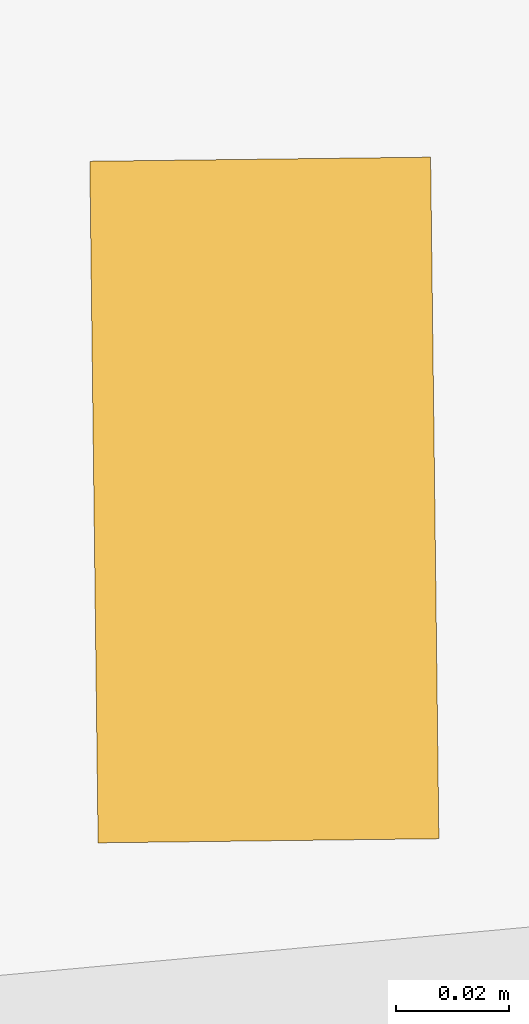
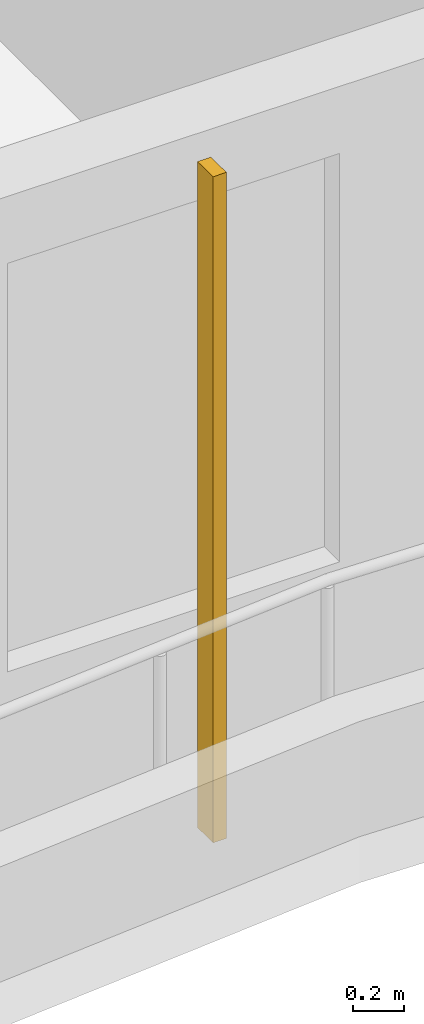
# One storey, part 16 of 22: 1 shading device.
"""IFC4 building model written with IfcOpenShell, lengths in metres."""

from ifc_helpers import new_model, si_unit, direction, frame, origin, origin_2d, place, context, subcontext, project, spatial, rectangle, extrude, source, transform, mapped, material, material_profile, profile_set, type_object, element, save


model = new_model("IFC4")

# Units and contexts
model_context = context("Model", 3, precision=1e-05, world=origin(), true_north=direction((0.0, 1.0)))
body_context = subcontext(model_context, "Body", "Model", "MODEL_VIEW")
ifc_project = project(units=[si_unit("LENGTHUNIT", "METRE"), si_unit("AREAUNIT", "SQUARE_METRE"), si_unit("VOLUMEUNIT", "CUBIC_METRE"), si_unit("PLANEANGLEUNIT", "RADIAN"), si_unit("MASSUNIT", "GRAM", prefix="KILO")], contexts=[model_context])

# Site, building, storey
site_placement = place(None, origin())
site = spatial("IfcSite", under=ifc_project, at=site_placement, CompositionType="ELEMENT")
building_placement = place(site_placement, origin())
building = spatial("IfcBuilding", under=site, at=building_placement, Name="Kilnfold Tower and Market Hall", CompositionType="ELEMENT")
storey_placement = place(building_placement, frame((0.0, 0.0, 206.699951171875)))
storey = spatial("IfcBuildingStorey", under=building, at=storey_placement, Name="L50", CompositionType="ELEMENT", Elevation=206.699951171875)

# Shading device
ifc_material = material(Name="Terracotta", Category="masonry")
ifc_material_profile = material_profile(ifc_material, rectangle(XDim=0.06005859375, YDim=0.1201171875, at=origin_2d()), Name="BAG 60x120")
ifc_profile_set = profile_set([ifc_material_profile], Name="Terracotta")
shading_device_type = type_object("IfcShadingDeviceType", Name="BAGUETTE", PredefinedType="USERDEFINED", material=ifc_profile_set)
shared_shape = source(origin(), body_context, "Body", "SweptSolid", [
    extrude(rectangle(XDim=0.06005859375, YDim=0.1201171875, at=origin_2d()), origin(), (0.0, 0.0, 1.0), 3.179931640625),
])
shading_device_placement = place(storey_placement, frame((10.5, -26.550048828125, 0.0), z_axis=(0.0, 0.0, 1.0), x_axis=(0.99992628372, 0.012141957244, 0.0)))
element("IfcShadingDevice", 1, at=shading_device_placement, inside=storey, type_object=shading_device_type, Name="Terracotta baguette L50 S", ObjectType="BAGUETTE", PredefinedType="USERDEFINED", context=body_context, shape_type="MappedRepresentation", body=[
    mapped(shared_shape, transform((0.0, 0.0, 0.0))),
])

save(model, "model.ifc")
